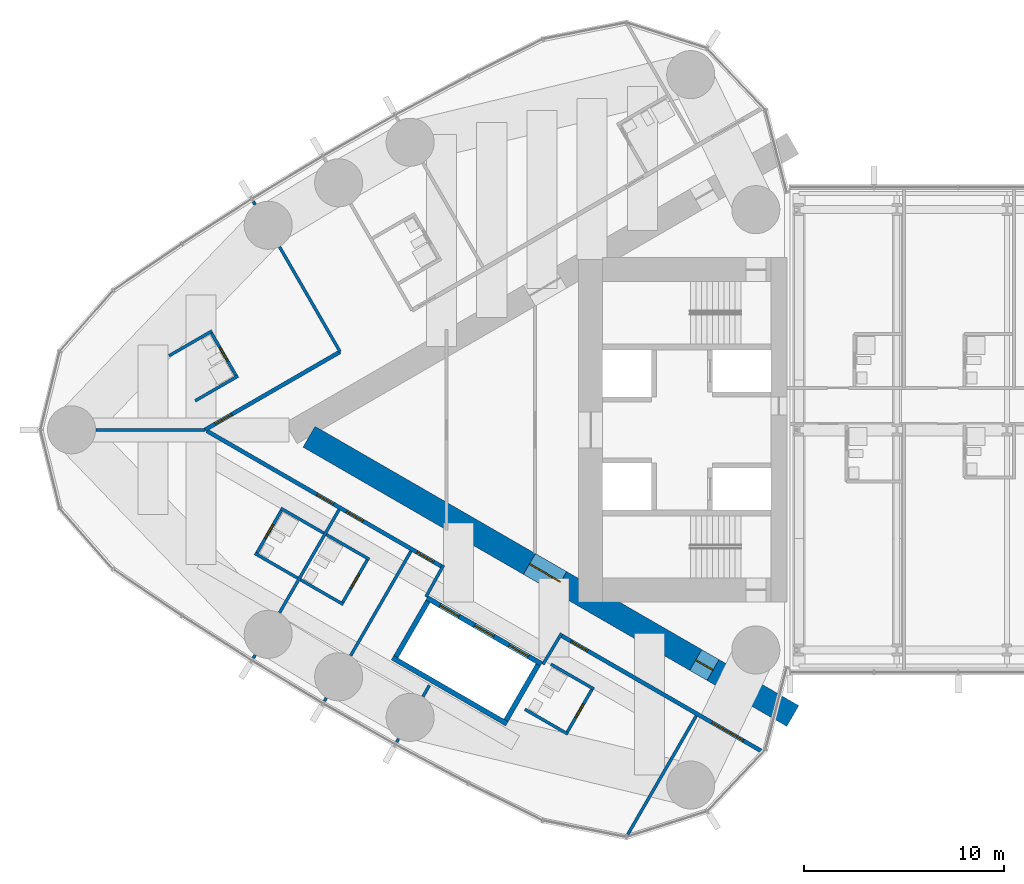
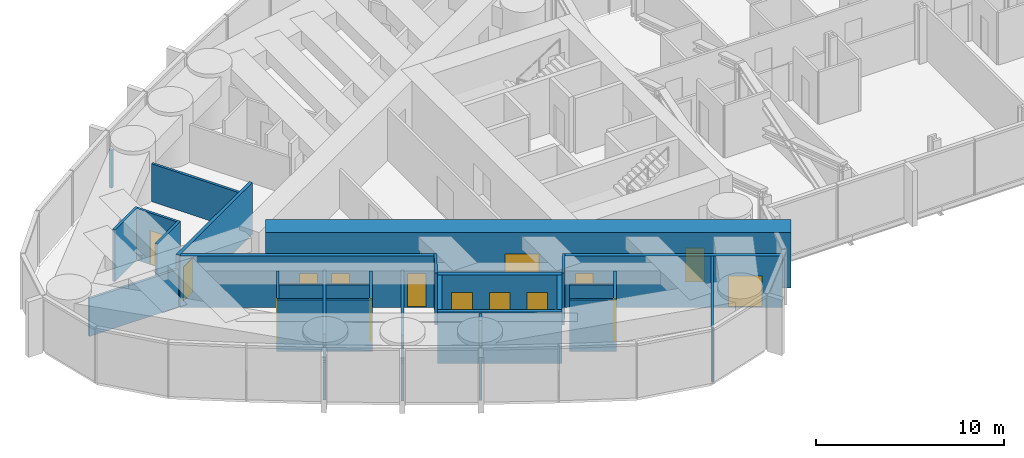
# One storey, part 14 of 22: 32 walls, 15 doors, 15 openings.
"""IFC4 building model written with IfcOpenShell, lengths in metres."""

from ifc_helpers import new_model, si_unit, direction, frame, frame_2d, origin, place, context, subcontext, project, spatial, rectangle, extrude, material, layer, layer_set, type_object, element, fill, save


model = new_model("IFC4")

# Units and contexts
model_context = context("Model", 3, precision=1e-05, world=origin(), true_north=direction((0.0, 1.0)))
body_context = subcontext(model_context, "Body", "Model", "MODEL_VIEW")
ifc_project = project(units=[si_unit("LENGTHUNIT", "METRE"), si_unit("AREAUNIT", "SQUARE_METRE"), si_unit("VOLUMEUNIT", "CUBIC_METRE"), si_unit("PLANEANGLEUNIT", "RADIAN"), si_unit("MASSUNIT", "GRAM", prefix="KILO")], contexts=[model_context])

# Site, building, storey
site_placement = place(None, origin())
site = spatial("IfcSite", under=ifc_project, at=site_placement, CompositionType="ELEMENT")
building_placement = place(site_placement, origin())
building = spatial("IfcBuilding", under=site, at=building_placement, Name="Lancet Gate Hotel", CompositionType="ELEMENT")
storey_placement = place(building_placement, frame((0.0, 0.0, 233.300048828125)))
storey = spatial("IfcBuildingStorey", under=building, at=storey_placement, Name="L62", CompositionType="ELEMENT", Elevation=233.300048828125)

# Wall
ifc_material_1 = material(Name="Moisture resistant board partition")
ifc_layer_1 = layer(ifc_material_1, 0.14990234375)
ifc_layer_set_1 = layer_set([ifc_layer_1], Name="Bathroom wall 150")
wall_type_1 = type_object("IfcWallType", Name="Bathroom wall 150", PredefinedType="PARTITIONING", material=ifc_layer_set_1)
wall_1_placement = place(storey_placement, frame((-56.215087890625, 4.938232421875, 0.0), z_axis=(0.0, 0.0, 1.0), x_axis=(-0.866006523861, -0.500032699561, 0.0)))
element("IfcWall", 1, at=wall_1_placement, inside=storey, type_object=wall_type_1, Name="T1 bathroom wall 150 L62", PredefinedType="PARTITIONING", context=body_context, shape_type="SweptSolid", body=[
    extrude(rectangle(XDim=2.474853515625, YDim=0.14990234375, at=frame_2d((1.2373046875, 0.0))), origin(), (0.0, 0.0, 1.0), 3.349853515625),
])

# Wall, opening, door
wall_2_placement = place(storey_placement, frame((-54.97998046875, 2.64892578125, 0.0), z_axis=(0.0, 0.0, 1.0), x_axis=(-0.500006934395, 0.866021400173, 0.0)))
wall_2 = element("IfcWall", 2, at=wall_2_placement, inside=storey, type_object=wall_type_1, Name="T1 bathroom wall 150 L62", PredefinedType="PARTITIONING", context=body_context, shape_type="SweptSolid", body=[
    extrude(rectangle(XDim=2.60009765625, YDim=0.14990234375, at=frame_2d((1.300048828125, 0.0))), origin(), (0.0, 0.0, 1.0), 3.349853515625),
])
opening_1_placement = place(wall_2_placement, frame((0.89990234375, 0.0, 0.0)))
opening_1 = element("IfcOpeningElement", 3, at=opening_1_placement, cuts=wall_2, Name="Opening 6205-B", PredefinedType="OPENING", context=body_context, shape_type="SweptSolid", body=[
    extrude(rectangle(XDim=0.800048828125, YDim=2.199951171875, at=frame_2d((0.39990234375, 1.10009765625))), frame((0.0, 0.0849609375, 0.0), z_axis=(0.0, -1.0, 0.0), x_axis=(1.0, 0.0, 0.0)), (0.0, 0.0, 1.0), 0.169921875),
])
ifc_material_2 = material(Name="Timber door set", Category="wood")
door_type_1 = type_object("IfcDoorType", Name="Bathroom door 800", OperationType="SINGLE_SWING_RIGHT", PredefinedType="DOOR", material=ifc_material_2)
door_1_placement = place(opening_1_placement, origin())
door_1 = element("IfcDoor", 4, at=door_1_placement, inside=storey, type_object=door_type_1, Name="6205-B", OperationType="SINGLE_SWING_RIGHT", OverallHeight=2.199951171875, OverallWidth=0.800048828125, PredefinedType="DOOR", context=body_context, shape_type="SweptSolid", body=[
    extrude(rectangle(XDim=0.800048828125, YDim=2.199951171875, at=frame_2d((0.39990234375, 1.10009765625))), frame((0.0, 0.02490234375, 0.0), z_axis=(0.0, -1.0, 0.0), x_axis=(1.0, 0.0, 0.0)), (0.0, 0.0, 1.0), 0.050048828125),
])
fill(opening_1, door_1)

# Walls
for number, where, z_axis, x_axis, name in (
    (5, (-54.9150390625, 2.6865234375, 0.0), (0.0, 0.0, 1.0), (-0.866006523861, -0.500032699561, 0.0), "T1 bathroom wall 150 L62"),
    (6, (-51.931396484375, -7.411376953125, 0.0), (0.0, 0.0, 1.0), (-0.866006523861, 0.500032699561, 0.0), "T1 bathroom wall 150 L62"),
):
    element("IfcWall", number, at=place(storey_placement, frame(where, z_axis=z_axis, x_axis=x_axis)), inside=storey, type_object=wall_type_1, Name=name, PredefinedType="PARTITIONING", context=body_context, shape_type="SweptSolid", body=[
        extrude(rectangle(XDim=2.474853515625, YDim=0.14990234375, at=frame_2d((1.2373046875, 0.0))), origin(), (0.0, 0.0, 1.0), 3.349853515625),
    ])

# Wall, opening, door
wall_3_placement = place(storey_placement, frame((-52.709716796875, -3.959716796875, 0.0), z_axis=(0.0, 0.0, 1.0), x_axis=(-0.500006934395, -0.866021400173, 0.0)))
wall_3 = element("IfcWall", 7, at=wall_3_placement, inside=storey, type_object=wall_type_1, Name="T1 bathroom wall 150 L62", PredefinedType="PARTITIONING", context=body_context, shape_type="SweptSolid", body=[
    extrude(rectangle(XDim=2.60009765625, YDim=0.14990234375, at=frame_2d((1.300048828125, 0.0))), origin(), (0.0, 0.0, 1.0), 3.349853515625),
])
opening_2_placement = place(wall_3_placement, frame((0.89990234375, 0.0, 0.0)))
opening_2 = element("IfcOpeningElement", 8, at=opening_2_placement, cuts=wall_3, Name="Opening 6206-B", PredefinedType="OPENING", context=body_context, shape_type="SweptSolid", body=[
    extrude(rectangle(XDim=0.800048828125, YDim=2.199951171875, at=frame_2d((0.39990234375, 1.10009765625))), frame((0.0, 0.0849609375, 0.0), z_axis=(0.0, -1.0, 0.0), x_axis=(1.0, 0.0, 0.0)), (0.0, 0.0, 1.0), 0.169921875),
])
door_2_placement = place(opening_2_placement, origin())
door_2 = element("IfcDoor", 9, at=door_2_placement, inside=storey, type_object=door_type_1, Name="6206-B", OperationType="SINGLE_SWING_RIGHT", OverallHeight=2.199951171875, OverallWidth=0.800048828125, PredefinedType="DOOR", context=body_context, shape_type="SweptSolid", body=[
    extrude(rectangle(XDim=0.800048828125, YDim=2.199951171875, at=frame_2d((0.39990234375, 1.10009765625))), frame((0.0, 0.02490234375, 0.0), z_axis=(0.0, -1.0, 0.0), x_axis=(1.0, 0.0, 0.0)), (0.0, 0.0, 1.0), 0.050048828125),
])
fill(opening_2, door_2)

# Walls
wall_4_placement = place(storey_placement, frame((-50.63134765625, -5.15966796875, 0.0), z_axis=(0.0, 0.0, 1.0), x_axis=(-0.86604923931, 0.499958713387, 0.0)))
element("IfcWall", 10, at=wall_4_placement, inside=storey, type_object=wall_type_1, Name="T1 bathroom wall 150 L62", PredefinedType="PARTITIONING", context=body_context, shape_type="SweptSolid", body=[
    extrude(rectangle(XDim=2.474853515625, YDim=0.14990234375, at=frame_2d((1.2373046875, 0.0))), origin(), (0.0, 0.0, 1.0), 2.5),
])
wall_5_placement = place(storey_placement, frame((-49.657958984375, -8.723876953125, 0.0), z_axis=(0.0, 0.0, 1.0), x_axis=(-0.866031185235, 0.4999899861, 0.0)))
element("IfcWall", 11, at=wall_5_placement, inside=storey, type_object=wall_type_1, Name="T1 bathroom wall 150 L62", PredefinedType="PARTITIONING", context=body_context, shape_type="SweptSolid", body=[
    extrude(rectangle(XDim=2.47509765625, YDim=0.14990234375, at=frame_2d((1.237548828125, 0.0))), origin(), (0.0, 0.0, 1.0), 3.349853515625),
])

# Wall, opening, door
wall_6_placement = place(storey_placement, frame((-48.4228515625, -6.434814453125, 0.0), z_axis=(0.0, 0.0, 1.0), x_axis=(-0.500006934395, -0.866021400173, 0.0)))
wall_6 = element("IfcWall", 12, at=wall_6_placement, inside=storey, type_object=wall_type_1, Name="T1 bathroom wall 150 L62", PredefinedType="PARTITIONING", context=body_context, shape_type="SweptSolid", body=[
    extrude(rectangle(XDim=2.60009765625, YDim=0.14990234375, at=frame_2d((1.300048828125, 0.0))), origin(), (0.0, 0.0, 1.0), 3.349853515625),
])
opening_3_placement = place(wall_6_placement, frame((0.89990234375, 0.0, 0.0)))
opening_3 = element("IfcOpeningElement", 13, at=opening_3_placement, cuts=wall_6, Name="Opening 6207-B", PredefinedType="OPENING", context=body_context, shape_type="SweptSolid", body=[
    extrude(rectangle(XDim=0.800048828125, YDim=2.199951171875, at=frame_2d((0.39990234375, 1.10009765625))), frame((0.0, 0.0849609375, 0.0), z_axis=(0.0, -1.0, 0.0), x_axis=(1.0, 0.0, 0.0)), (0.0, 0.0, 1.0), 0.169921875),
])
door_3_placement = place(opening_3_placement, origin())
door_3 = element("IfcDoor", 14, at=door_3_placement, inside=storey, type_object=door_type_1, Name="6207-B", OperationType="SINGLE_SWING_RIGHT", OverallHeight=2.199951171875, OverallWidth=0.800048828125, PredefinedType="DOOR", context=body_context, shape_type="SweptSolid", body=[
    extrude(rectangle(XDim=0.800048828125, YDim=2.199951171875, at=frame_2d((0.39990234375, 1.10009765625))), frame((0.0, 0.02490234375, 0.0), z_axis=(0.0, -1.0, 0.0), x_axis=(1.0, 0.0, 0.0)), (0.0, 0.0, 1.0), 0.050048828125),
])
fill(opening_3, door_3)

# Walls
wall_7_placement = place(storey_placement, frame((-48.35791015625, -6.47216796875, 0.0), z_axis=(0.0, 0.0, 1.0), x_axis=(-0.866073894602, 0.499916002032, 0.0)))
element("IfcWall", 15, at=wall_7_placement, inside=storey, type_object=wall_type_1, Name="T1 bathroom wall 150 L62", PredefinedType="PARTITIONING", context=body_context, shape_type="SweptSolid", body=[
    extrude(rectangle(XDim=2.47509765625, YDim=0.14990234375, at=frame_2d((1.237548828125, 0.0))), origin(), (0.0, 0.0, 1.0), 2.5),
])
wall_8_placement = place(storey_placement, frame((-38.43798828125, -15.20166015625, 0.0), z_axis=(0.0, 0.0, 1.0), x_axis=(-0.866073894602, 0.499916002032, 0.0)))
element("IfcWall", 16, at=wall_8_placement, inside=storey, type_object=wall_type_1, Name="T1 bathroom wall 150 L62", PredefinedType="PARTITIONING", context=body_context, shape_type="SweptSolid", body=[
    extrude(rectangle(XDim=2.47509765625, YDim=0.14990234375, at=frame_2d((1.237548828125, 0.0))), origin(), (0.0, 0.0, 1.0), 3.349853515625),
])

# Wall, opening, door
wall_9_placement = place(storey_placement, frame((-37.202880859375, -12.91259765625, 0.0), z_axis=(0.0, 0.0, 1.0), x_axis=(-0.500006934395, -0.866021400173, 0.0)))
wall_9 = element("IfcWall", 17, at=wall_9_placement, inside=storey, type_object=wall_type_1, Name="T1 bathroom wall 150 L62", PredefinedType="PARTITIONING", context=body_context, shape_type="SweptSolid", body=[
    extrude(rectangle(XDim=2.60009765625, YDim=0.14990234375, at=frame_2d((1.300048828125, 0.0))), origin(), (0.0, 0.0, 1.0), 3.349853515625),
])
opening_4_placement = place(wall_9_placement, frame((0.89990234375, 0.0, 0.0)))
opening_4 = element("IfcOpeningElement", 18, at=opening_4_placement, cuts=wall_9, Name="Opening 6209-B", PredefinedType="OPENING", context=body_context, shape_type="SweptSolid", body=[
    extrude(rectangle(XDim=0.800048828125, YDim=2.199951171875, at=frame_2d((0.39990234375, 1.10009765625))), frame((0.0, 0.0849609375, 0.0), z_axis=(0.0, -1.0, 0.0), x_axis=(1.0, 0.0, 0.0)), (0.0, 0.0, 1.0), 0.169921875),
])
door_4_placement = place(opening_4_placement, origin())
door_4 = element("IfcDoor", 19, at=door_4_placement, inside=storey, type_object=door_type_1, Name="6209-B", OperationType="SINGLE_SWING_RIGHT", OverallHeight=2.199951171875, OverallWidth=0.800048828125, PredefinedType="DOOR", context=body_context, shape_type="SweptSolid", body=[
    extrude(rectangle(XDim=0.800048828125, YDim=2.199951171875, at=frame_2d((0.39990234375, 1.10009765625))), frame((0.0, 0.02490234375, 0.0), z_axis=(0.0, -1.0, 0.0), x_axis=(1.0, 0.0, 0.0)), (0.0, 0.0, 1.0), 0.050048828125),
])
fill(opening_4, door_4)

# Wall
wall_10_placement = place(storey_placement, frame((-37.137939453125, -12.9501953125, 0.0), z_axis=(0.0, 0.0, 1.0), x_axis=(-0.866031185235, 0.4999899861, 0.0)))
element("IfcWall", 20, at=wall_10_placement, inside=storey, type_object=wall_type_1, Name="T1 bathroom wall 150 L62", PredefinedType="PARTITIONING", context=body_context, shape_type="SweptSolid", body=[
    extrude(rectangle(XDim=2.47509765625, YDim=0.14990234375, at=frame_2d((1.237548828125, 0.0))), origin(), (0.0, 0.0, 1.0), 2.5),
])

# Wall, openings, doors
ifc_material_3 = material(Name="Concrete C70/85", Category="concrete")
ifc_layer_2 = layer(ifc_material_3, 1.199951171875)
ifc_layer_set_2 = layer_set([ifc_layer_2], Name="Buttress wall 1200")
wall_type_2 = type_object("IfcWallType", Name="Buttress wall 1200", PredefinedType="SHEAR", material=ifc_layer_set_2)
wall_11_placement = place(storey_placement, frame((-27.199951171875, -14.300048828125, 0.0), z_axis=(0.0, 0.0, 1.0), x_axis=(-0.866024021859, 0.500002393557, 0.0)))
wall_11 = element("IfcWall", 21, at=wall_11_placement, inside=storey, type_object=wall_type_2, Name="T1 buttress wall N L62", PredefinedType="SHEAR", context=body_context, shape_type="SweptSolid", body=[
    extrude(rectangle(XDim=27.906982421875, YDim=1.199951171875, at=frame_2d((13.95361328125, 0.0))), origin(), (0.0, 0.0, 1.0), 3.599853515625),
])
opening_5_placement = place(wall_11_placement, frame((4.60009765625, 0.0, 0.0)))
opening_5 = element("IfcOpeningElement", 22, at=opening_5_placement, cuts=wall_11, Name="Opening T1-L62-LN", PredefinedType="OPENING", context=body_context, shape_type="SweptSolid", body=[
    extrude(rectangle(XDim=1.0, YDim=2.199951171875, at=frame_2d((0.5, 1.10009765625))), frame((0.0, 0.60986328125, 0.0), z_axis=(0.0, -1.0, 0.0), x_axis=(1.0, 0.0, 0.0)), (0.0, 0.0, 1.0), 1.219970703125),
])
opening_6_placement = place(wall_11_placement, frame((13.39453125, 0.0, 0.0)))
opening_6 = element("IfcOpeningElement", 23, at=opening_6_placement, cuts=wall_11, Name="Opening T1-L62-LHN", PredefinedType="OPENING", context=body_context, shape_type="SweptSolid", body=[
    extrude(rectangle(XDim=1.800048828125, YDim=2.199951171875, at=frame_2d((0.89990234375, 1.10009765625))), frame((0.0, 0.60986328125, 0.0), z_axis=(0.0, -1.0, 0.0), x_axis=(1.0, 0.0, 0.0)), (0.0, 0.0, 1.0), 1.219970703125),
])
ifc_material_4 = material(Name="Timber door set", Category="wood")
door_type_2 = type_object("IfcDoorType", Name="Lobby double door 1800", OperationType="DOUBLE_DOOR_SINGLE_SWING", PredefinedType="DOOR", material=ifc_material_4)
door_5_placement = place(opening_6_placement, origin())
door_5 = element("IfcDoor", 24, at=door_5_placement, inside=storey, type_object=door_type_2, Name="T1-L62-LHN", OperationType="DOUBLE_DOOR_SINGLE_SWING", OverallHeight=2.199951171875, OverallWidth=1.800048828125, PredefinedType="DOOR", context=body_context, shape_type="SweptSolid", body=[
    extrude(rectangle(XDim=1.800048828125, YDim=2.199951171875, at=frame_2d((0.89990234375, 1.10009765625))), frame((0.0, 0.02490234375, 0.0), z_axis=(0.0, -1.0, 0.0), x_axis=(1.0, 0.0, 0.0)), (0.0, 0.0, 1.0), 0.050048828125),
])
fill(opening_6, door_5)
ifc_material_5 = material(Name="Timber door set", Category="wood")
door_type_3 = type_object("IfcDoorType", Name="Stair lobby door 1000", OperationType="SINGLE_SWING_LEFT", PredefinedType="DOOR", material=ifc_material_5)
door_6_placement = place(opening_5_placement, origin())
door_6 = element("IfcDoor", 25, at=door_6_placement, inside=storey, type_object=door_type_3, Name="T1-L62-LN", OperationType="SINGLE_SWING_LEFT", OverallHeight=2.199951171875, OverallWidth=1.0, PredefinedType="DOOR", context=body_context, shape_type="SweptSolid", body=[
    extrude(rectangle(XDim=1.0, YDim=2.199951171875, at=frame_2d((0.5, 1.10009765625))), frame((0.0, 0.02490234375, 0.0), z_axis=(0.0, -1.0, 0.0), x_axis=(1.0, 0.0, 0.0)), (0.0, 0.0, 1.0), 0.050048828125),
])
fill(opening_5, door_6)

ifc_material_6 = material(Name="Gypsum board partition")
ifc_layer_3 = layer(ifc_material_6, 0.199951171875)
ifc_layer_set_3 = layer_set([ifc_layer_3], Name="Corridor wall 200")
wall_type_3 = type_object("IfcWallType", Name="Corridor wall 200", PredefinedType="PARTITIONING", material=ifc_layer_set_3)
wall_12_placement = place(storey_placement, frame((-28.737060546875, -16.068359375, 0.0), z_axis=(0.0, 0.0, 1.0), x_axis=(-0.866029399323, 0.49999307946, 0.0)))
wall_12 = element("IfcWall", 26, at=wall_12_placement, inside=storey, type_object=wall_type_3, Name="T1 corridor wall 200 L62", PredefinedType="PARTITIONING", context=body_context, shape_type="SweptSolid", body=[
    extrude(rectangle(XDim=11.609619140625, YDim=0.199951171875, at=frame_2d((5.8046875, 0.0))), origin(), (0.0, 0.0, 1.0), 3.349853515625),
])
opening_7_placement = place(wall_12_placement, frame((1.080078125, 0.0, 0.0)))
opening_7 = element("IfcOpeningElement", 27, at=opening_7_placement, cuts=wall_12, Name="Opening 6210-E", PredefinedType="OPENING", context=body_context, shape_type="SweptSolid", body=[
    extrude(rectangle(XDim=1.800048828125, YDim=2.030029296875, at=frame_2d((0.89990234375, 1.01513671875))), frame((0.0, 0.10986328125, 0.0), z_axis=(0.0, -1.0, 0.0), x_axis=(1.0, 0.0, 0.0)), (0.0, 0.0, 1.0), 0.219970703125),
])
opening_8_placement = place(wall_12_placement, frame((10.0595703125, 0.0, 0.0)))
opening_8 = element("IfcOpeningElement", 28, at=opening_8_placement, cuts=wall_12, Name="Opening 6209-E", PredefinedType="OPENING", context=body_context, shape_type="SweptSolid", body=[
    extrude(rectangle(XDim=0.949951171875, YDim=2.199951171875, at=frame_2d((0.47509765625, 1.10009765625))), frame((0.0, 0.10986328125, 0.0), z_axis=(0.0, -1.0, 0.0), x_axis=(1.0, 0.0, 0.0)), (0.0, 0.0, 1.0), 0.219970703125),
])
ifc_material_7 = material(Name="Timber door set", Category="wood")
door_type_4 = type_object("IfcDoorType", Name="Double door 1800, 2030 high", OperationType="DOUBLE_DOOR_SINGLE_SWING", PredefinedType="DOOR", material=ifc_material_7)
door_7_placement = place(opening_7_placement, origin())
door_7 = element("IfcDoor", 29, at=door_7_placement, inside=storey, type_object=door_type_4, Name="6210-E", OperationType="DOUBLE_DOOR_SINGLE_SWING", OverallHeight=2.030029296875, OverallWidth=1.800048828125, PredefinedType="DOOR", context=body_context, shape_type="SweptSolid", body=[
    extrude(rectangle(XDim=1.800048828125, YDim=2.030029296875, at=frame_2d((0.89990234375, 1.01513671875))), frame((0.0, 0.02490234375, 0.0), z_axis=(0.0, -1.0, 0.0), x_axis=(1.0, 0.0, 0.0)), (0.0, 0.0, 1.0), 0.050048828125),
])
fill(opening_7, door_7)
ifc_material_8 = material(Name="Timber door set", Category="wood")
door_type_5 = type_object("IfcDoorType", Name="Guest room entry door 950", OperationType="SINGLE_SWING_LEFT", PredefinedType="DOOR", material=ifc_material_8)
door_8_placement = place(opening_8_placement, origin())
door_8 = element("IfcDoor", 30, at=door_8_placement, inside=storey, type_object=door_type_5, Name="6209-E", OperationType="SINGLE_SWING_LEFT", OverallHeight=2.199951171875, OverallWidth=0.949951171875, PredefinedType="DOOR", context=body_context, shape_type="SweptSolid", body=[
    extrude(rectangle(XDim=0.949951171875, YDim=2.199951171875, at=frame_2d((0.47509765625, 1.10009765625))), frame((0.0, 0.02490234375, 0.0), z_axis=(0.0, -1.0, 0.0), x_axis=(1.0, 0.0, 0.0)), (0.0, 0.0, 1.0), 0.050048828125),
])
fill(opening_8, door_8)

wall_13_placement = place(storey_placement, frame((-44.715087890625, -6.843505859375, 0.0), z_axis=(0.0, 0.0, 1.0), x_axis=(-0.866025261224, 0.500000246922, 0.0)))
wall_13 = element("IfcWall", 31, at=wall_13_placement, inside=storey, type_object=wall_type_3, Name="T1 corridor wall 200 L62", PredefinedType="PARTITIONING", context=body_context, shape_type="SweptSolid", body=[
    extrude(rectangle(XDim=13.56689453125, YDim=0.199951171875, at=frame_2d((6.783447265625, 0.0))), origin(), (0.0, 0.0, 1.0), 3.349853515625),
])
opening_9_placement = place(wall_13_placement, frame((6.265625, 0.0, 0.0)))
opening_9 = element("IfcOpeningElement", 32, at=opening_9_placement, cuts=wall_13, Name="Opening 6206-E", PredefinedType="OPENING", context=body_context, shape_type="SweptSolid", body=[
    extrude(rectangle(XDim=0.949951171875, YDim=2.199951171875, at=frame_2d((0.47509765625, 1.10009765625))), frame((0.0, 0.10986328125, 0.0), z_axis=(0.0, -1.0, 0.0), x_axis=(1.0, 0.0, 0.0)), (0.0, 0.0, 1.0), 0.219970703125),
])
opening_10_placement = place(wall_13_placement, frame((4.5654296875, 0.0, 0.0)))
opening_10 = element("IfcOpeningElement", 33, at=opening_10_placement, cuts=wall_13, Name="Opening 6207-E", PredefinedType="OPENING", context=body_context, shape_type="SweptSolid", body=[
    extrude(rectangle(XDim=0.949951171875, YDim=2.199951171875, at=frame_2d((0.47509765625, 1.10009765625))), frame((0.0, 0.10986328125, 0.0), z_axis=(0.0, -1.0, 0.0), x_axis=(1.0, 0.0, 0.0)), (0.0, 0.0, 1.0), 0.219970703125),
])
opening_11_placement = place(wall_13_placement, frame((0.5, 0.0, 0.0)))
opening_11 = element("IfcOpeningElement", 34, at=opening_11_placement, cuts=wall_13, Name="Opening T1-L62-LO1", PredefinedType="OPENING", context=body_context, shape_type="SweptSolid", body=[
    extrude(rectangle(XDim=0.967041015625, YDim=2.199951171875, at=frame_2d((0.4833984375, 1.10009765625))), frame((0.0, 0.10986328125, 0.0), z_axis=(0.0, -1.0, 0.0), x_axis=(1.0, 0.0, 0.0)), (0.0, 0.0, 1.0), 0.219970703125),
])
door_9_placement = place(opening_9_placement, origin())
door_9 = element("IfcDoor", 35, at=door_9_placement, inside=storey, type_object=door_type_5, Name="6206-E", OperationType="SINGLE_SWING_LEFT", OverallHeight=2.199951171875, OverallWidth=0.949951171875, PredefinedType="DOOR", context=body_context, shape_type="SweptSolid", body=[
    extrude(rectangle(XDim=0.949951171875, YDim=2.199951171875, at=frame_2d((0.47509765625, 1.10009765625))), frame((0.0, 0.02490234375, 0.0), z_axis=(0.0, -1.0, 0.0), x_axis=(1.0, 0.0, 0.0)), (0.0, 0.0, 1.0), 0.050048828125),
])
fill(opening_9, door_9)
door_10_placement = place(opening_10_placement, origin())
door_10 = element("IfcDoor", 36, at=door_10_placement, inside=storey, type_object=door_type_5, Name="6207-E", OperationType="SINGLE_SWING_LEFT", OverallHeight=2.199951171875, OverallWidth=0.949951171875, PredefinedType="DOOR", context=body_context, shape_type="SweptSolid", body=[
    extrude(rectangle(XDim=0.949951171875, YDim=2.199951171875, at=frame_2d((0.47509765625, 1.10009765625))), frame((0.0, 0.02490234375, 0.0), z_axis=(0.0, -1.0, 0.0), x_axis=(1.0, 0.0, 0.0)), (0.0, 0.0, 1.0), 0.050048828125),
])
fill(opening_10, door_10)
door_11_placement = place(opening_11_placement, origin())
door_11 = element("IfcDoor", 37, at=door_11_placement, inside=storey, type_object=door_type_5, Name="T1-L62-LO1", OperationType="SINGLE_SWING_LEFT", OverallHeight=2.199951171875, OverallWidth=0.967041015625, PredefinedType="DOOR", context=body_context, shape_type="SweptSolid", body=[
    extrude(rectangle(XDim=0.967041015625, YDim=2.199951171875, at=frame_2d((0.4833984375, 1.10009765625))), frame((0.0, 0.02490234375, 0.0), z_axis=(0.0, -1.0, 0.0), x_axis=(1.0, 0.0, 0.0)), (0.0, 0.0, 1.0), 0.050048828125),
])
fill(opening_11, door_11)

# Wall, opening, door
wall_14_placement = place(storey_placement, frame((-49.81640625, 3.898193359375, 0.0), z_axis=(0.0, 0.0, 1.0), x_axis=(-0.866028102716, -0.499995325284, 0.0)))
wall_14 = element("IfcWall", 38, at=wall_14_placement, inside=storey, type_object=wall_type_3, Name="T1 corridor wall 200 L62", PredefinedType="PARTITIONING", context=body_context, shape_type="SweptSolid", body=[
    extrude(rectangle(XDim=7.79638671875, YDim=0.199951171875, at=frame_2d((3.898193359375, 0.0))), origin(), (0.0, 0.0, 1.0), 3.349853515625),
])
opening_12_placement = place(wall_14_placement, frame((6.246337890625, 0.0, 0.0)))
opening_12 = element("IfcOpeningElement", 39, at=opening_12_placement, cuts=wall_14, Name="Opening 6205-E", PredefinedType="OPENING", context=body_context, shape_type="SweptSolid", body=[
    extrude(rectangle(XDim=0.949951171875, YDim=2.199951171875, at=frame_2d((0.47509765625, 1.10009765625))), frame((0.0, 0.10986328125, 0.0), z_axis=(0.0, -1.0, 0.0), x_axis=(1.0, 0.0, 0.0)), (0.0, 0.0, 1.0), 0.219970703125),
])
door_12_placement = place(opening_12_placement, origin())
door_12 = element("IfcDoor", 40, at=door_12_placement, inside=storey, type_object=door_type_5, Name="6205-E", OperationType="SINGLE_SWING_LEFT", OverallHeight=2.199951171875, OverallWidth=0.949951171875, PredefinedType="DOOR", context=body_context, shape_type="SweptSolid", body=[
    extrude(rectangle(XDim=0.949951171875, YDim=2.199951171875, at=frame_2d((0.47509765625, 1.10009765625))), frame((0.0, 0.02490234375, 0.0), z_axis=(0.0, -1.0, 0.0), x_axis=(1.0, 0.0, 0.0)), (0.0, 0.0, 1.0), 0.050048828125),
])
fill(opening_12, door_12)

# Wall, openings, doors
ifc_material_9 = material(Name="Gypsum board partition")
ifc_layer_4 = layer(ifc_material_9, 0.25)
ifc_layer_set_4 = layer_set([ifc_layer_4], Name="Lift shaft partition 250")
wall_type_4 = type_object("IfcWallType", Name="Lift shaft partition 250", PredefinedType="PARTITIONING", material=ifc_layer_set_4)
wall_15_placement = place(storey_placement, frame((-39.757568359375, -11.697265625, 0.0), z_axis=(0.0, 0.0, 1.0), x_axis=(-0.866024194504, 0.500002094529, 0.0)))
wall_15 = element("IfcWall", 41, at=wall_15_placement, inside=storey, type_object=wall_type_4, Name="T1 lift shaft wall HL L62", PredefinedType="PARTITIONING", context=body_context, shape_type="SweptSolid", body=[
    extrude(rectangle(XDim=6.60009765625, YDim=0.25, at=frame_2d((3.300048828125, 0.0))), origin(), (0.0, 0.0, 1.0), 3.349853515625),
])
opening_13_placement = place(wall_15_placement, frame((0.75, 0.0, 0.0)))
opening_13 = element("IfcOpeningElement", 42, at=opening_13_placement, cuts=wall_15, Name="Opening T1-HL1-L62", PredefinedType="OPENING", context=body_context, shape_type="SweptSolid", body=[
    extrude(rectangle(XDim=1.10009765625, YDim=2.199951171875, at=frame_2d((0.550048828125, 1.10009765625))), frame((0.0, 0.135009765625, 0.0), z_axis=(0.0, -1.0, 0.0), x_axis=(1.0, 0.0, 0.0)), (0.0, 0.0, 1.0), 0.27001953125),
])
opening_14_placement = place(wall_15_placement, frame((2.75, 0.0, 0.0)))
opening_14 = element("IfcOpeningElement", 43, at=opening_14_placement, cuts=wall_15, Name="Opening T1-HL2-L62", PredefinedType="OPENING", context=body_context, shape_type="SweptSolid", body=[
    extrude(rectangle(XDim=1.10009765625, YDim=2.199951171875, at=frame_2d((0.550048828125, 1.10009765625))), frame((0.0, 0.135009765625, 0.0), z_axis=(0.0, -1.0, 0.0), x_axis=(1.0, 0.0, 0.0)), (0.0, 0.0, 1.0), 0.27001953125),
])
opening_15_placement = place(wall_15_placement, frame((4.75, 0.0, 0.0)))
opening_15 = element("IfcOpeningElement", 44, at=opening_15_placement, cuts=wall_15, Name="Opening T1-HL3-L62", PredefinedType="OPENING", context=body_context, shape_type="SweptSolid", body=[
    extrude(rectangle(XDim=1.10009765625, YDim=2.199951171875, at=frame_2d((0.550048828125, 1.10009765625))), frame((0.0, 0.135009765625, 0.0), z_axis=(0.0, -1.0, 0.0), x_axis=(1.0, 0.0, 0.0)), (0.0, 0.0, 1.0), 0.27001953125),
])
ifc_material_10 = material(Name="Steel door set", Category="steel")
door_type_6 = type_object("IfcDoorType", Name="Lift landing door 1100", OperationType="DOUBLE_DOOR_SLIDING", PredefinedType="USERDEFINED", material=ifc_material_10)
door_13_placement = place(opening_13_placement, origin())
door_13 = element("IfcDoor", 45, at=door_13_placement, inside=storey, type_object=door_type_6, Name="T1-HL1-L62", ObjectType="LIFT LANDING DOOR", OperationType="DOUBLE_DOOR_SLIDING", OverallHeight=2.199951171875, OverallWidth=1.10009765625, PredefinedType="USERDEFINED", context=body_context, shape_type="SweptSolid", body=[
    extrude(rectangle(XDim=1.10009765625, YDim=2.199951171875, at=frame_2d((0.550048828125, 1.10009765625))), frame((0.0, 0.02490234375, 0.0), z_axis=(0.0, -1.0, 0.0), x_axis=(1.0, 0.0, 0.0)), (0.0, 0.0, 1.0), 0.050048828125),
])
fill(opening_13, door_13)
door_14_placement = place(opening_14_placement, origin())
door_14 = element("IfcDoor", 46, at=door_14_placement, inside=storey, type_object=door_type_6, Name="T1-HL2-L62", ObjectType="LIFT LANDING DOOR", OperationType="DOUBLE_DOOR_SLIDING", OverallHeight=2.199951171875, OverallWidth=1.10009765625, PredefinedType="USERDEFINED", context=body_context, shape_type="SweptSolid", body=[
    extrude(rectangle(XDim=1.10009765625, YDim=2.199951171875, at=frame_2d((0.550048828125, 1.10009765625))), frame((0.0, 0.02490234375, 0.0), z_axis=(0.0, -1.0, 0.0), x_axis=(1.0, 0.0, 0.0)), (0.0, 0.0, 1.0), 0.050048828125),
])
fill(opening_14, door_14)
door_15_placement = place(opening_15_placement, origin())
door_15 = element("IfcDoor", 47, at=door_15_placement, inside=storey, type_object=door_type_6, Name="T1-HL3-L62", ObjectType="LIFT LANDING DOOR", OperationType="DOUBLE_DOOR_SLIDING", OverallHeight=2.199951171875, OverallWidth=1.10009765625, PredefinedType="USERDEFINED", context=body_context, shape_type="SweptSolid", body=[
    extrude(rectangle(XDim=1.10009765625, YDim=2.199951171875, at=frame_2d((0.550048828125, 1.10009765625))), frame((0.0, 0.02490234375, 0.0), z_axis=(0.0, -1.0, 0.0), x_axis=(1.0, 0.0, 0.0)), (0.0, 0.0, 1.0), 0.050048828125),
])
fill(opening_15, door_15)

# Walls
wall_16_placement = place(storey_placement, frame((-41.482421875, -14.685791015625, 0.0), z_axis=(0.0, 0.0, 1.0), x_axis=(-0.86603344179, 0.499986077507, 0.0)))
element("IfcWall", 48, at=wall_16_placement, inside=storey, type_object=wall_type_4, Name="T1 lift shaft wall HL L62", PredefinedType="PARTITIONING", context=body_context, shape_type="SweptSolid", body=[
    extrude(rectangle(XDim=6.600341796875, YDim=0.25, at=frame_2d((3.30029296875, 0.0))), origin(), (0.0, 0.0, 1.0), 3.349853515625),
])
for number, where, z_axis, x_axis, name in (
    (49, (-39.92822265625, -11.742919921875, 0.0), (0.0, 0.0, 1.0), (-0.499929347863, -0.866066190972, 0.0), "T1 lift shaft wall HL L62"),
    (50, (-45.427734375, -8.568115234375, 0.0), (0.0, 0.0, 1.0), (-0.499929347863, -0.866066190972, 0.0), "T1 lift shaft wall HL L62"),
):
    element("IfcWall", number, at=place(storey_placement, frame(where, z_axis=z_axis, x_axis=x_axis)), inside=storey, type_object=wall_type_4, Name=name, PredefinedType="PARTITIONING", context=body_context, shape_type="SweptSolid", body=[
        extrude(rectangle(XDim=3.20068359375, YDim=0.25, at=frame_2d((1.600341796875, 0.0))), origin(), (0.0, 0.0, 1.0), 3.349853515625),
    ])
ifc_material_11 = material(Name="Gypsum board partition")
ifc_layer_5 = layer(ifc_material_11, 0.14990234375)
ifc_layer_set_5 = layer_set([ifc_layer_5], Name="Party wall 150")
wall_type_5 = type_object("IfcWallType", Name="Party wall 150", PredefinedType="PARTITIONING", material=ifc_layer_set_5)
wall_17_placement = place(storey_placement, frame((-49.81640625, 3.898193359375, 0.0), z_axis=(0.0, 0.0, 1.0), x_axis=(-0.500001913541, 0.866024298998, 0.0)))
element("IfcWall", 51, at=wall_17_placement, inside=storey, type_object=wall_type_5, Name="T1 party wall 150 L62", PredefinedType="PARTITIONING", context=body_context, shape_type="SweptSolid", body=[
    extrude(rectangle(XDim=6.0498046875, YDim=0.14990234375, at=frame_2d((3.02490234375, 0.0))), origin(), (0.0, 0.0, 1.0), 2.449951171875),
])
wall_18_placement = place(storey_placement, frame((-54.061279296875, 11.25048828125, 0.0), z_axis=(0.0, 0.0, 1.0), x_axis=(-0.500391173478, 0.865799441849, 0.0)))
element("IfcWall", 52, at=wall_18_placement, inside=storey, type_object=wall_type_5, Name="T1 party wall 150 L62", PredefinedType="PARTITIONING", context=body_context, shape_type="SweptSolid", body=[
    extrude(rectangle(XDim=0.178955078125, YDim=0.14990234375, at=frame_2d((0.08935546875, 0.0))), origin(), (0.0, 0.0, 1.0), 2.449951171875),
])
wall_19_placement = place(storey_placement, frame((-32.021728515625, -14.287353515625, 0.0), z_axis=(0.0, 0.0, 1.0), x_axis=(-0.50000019414, -0.866025291697, 0.0)))
element("IfcWall", 53, at=wall_19_placement, inside=storey, type_object=wall_type_5, Name="T1 party wall 150 L62", PredefinedType="PARTITIONING", context=body_context, shape_type="SweptSolid", body=[
    extrude(rectangle(XDim=6.84814453125, YDim=0.14990234375, at=frame_2d((3.424072265625, 0.0))), origin(), (0.0, 0.0, 1.0), 3.349853515625),
])
wall_20_placement = place(storey_placement, frame((-46.89794921875, -15.438720703125, 0.0), z_axis=(0.0, 0.0, 1.0), x_axis=(-0.500232303069, -0.865891241997, 0.0)))
element("IfcWall", 54, at=wall_20_placement, inside=storey, type_object=wall_type_5, Name="T1 party wall 150 L62", PredefinedType="PARTITIONING", context=body_context, shape_type="SweptSolid", body=[
    extrude(rectangle(XDim=0.1796875, YDim=0.14990234375, at=frame_2d((0.08984375, 0.0))), origin(), (0.0, 0.0, 1.0), 2.449951171875),
])
wall_21_placement = place(storey_placement, frame((-46.273681640625, -6.05908203125, 0.0), z_axis=(0.0, 0.0, 1.0), x_axis=(-0.500020471368, -0.866013584312, 0.0)))
element("IfcWall", 55, at=wall_21_placement, inside=storey, type_object=wall_type_5, Name="T1 party wall 150 L62", PredefinedType="PARTITIONING", context=body_context, shape_type="SweptSolid", body=[
    extrude(rectangle(XDim=6.027587890625, YDim=0.14990234375, at=frame_2d((3.013671875, 0.0))), origin(), (0.0, 0.0, 1.0), 2.449951171875),
])
wall_22_placement = place(storey_placement, frame((-50.507568359375, -13.392333984375, 0.0), z_axis=(0.0, 0.0, 1.0), x_axis=(-0.499644091975, -0.866230789891, 0.0)))
element("IfcWall", 56, at=wall_22_placement, inside=storey, type_object=wall_type_5, Name="T1 party wall 150 L62", PredefinedType="PARTITIONING", context=body_context, shape_type="SweptSolid", body=[
    extrude(rectangle(XDim=0.179931640625, YDim=0.14990234375, at=frame_2d((0.08984375, 0.0))), origin(), (0.0, 0.0, 1.0), 2.449951171875),
])
wall_23_placement = place(storey_placement, frame((-49.866455078125, -3.98486328125, 0.0), z_axis=(0.0, 0.0, 1.0), x_axis=(-0.500000694566, -0.866025002776, 0.0)))
element("IfcWall", 57, at=wall_23_placement, inside=storey, type_object=wall_type_5, Name="T1 party wall 150 L62", PredefinedType="PARTITIONING", context=body_context, shape_type="SweptSolid", body=[
    extrude(rectangle(XDim=5.94970703125, YDim=0.14990234375, at=frame_2d((2.974853515625, 0.0))), origin(), (0.0, 0.0, 1.0), 2.449951171875),
])
wall_24_placement = place(storey_placement, frame((-54.061279296875, -11.25048828125, 0.0), z_axis=(0.0, 0.0, 1.0), x_axis=(-0.500391173478, -0.865799441849, 0.0)))
element("IfcWall", 58, at=wall_24_placement, inside=storey, type_object=wall_type_5, Name="T1 party wall 150 L62", PredefinedType="PARTITIONING", context=body_context, shape_type="SweptSolid", body=[
    extrude(rectangle(XDim=0.178955078125, YDim=0.14990234375, at=frame_2d((0.08935546875, 0.0))), origin(), (0.0, 0.0, 1.0), 2.449951171875),
])
wall_25_placement = place(storey_placement, frame((-56.568359375, 0.0, 0.0), z_axis=(0.0, 0.0, 1.0), x_axis=(-1.0, 0.0, 0.0)))
element("IfcWall", 59, at=wall_25_placement, inside=storey, type_object=wall_type_5, Name="T1 party wall 150 L62", PredefinedType="PARTITIONING", context=body_context, shape_type="SweptSolid", body=[
    extrude(rectangle(XDim=5.446044921875, YDim=0.14990234375, at=frame_2d((2.72314453125, 0.0))), origin(), (0.0, 0.0, 1.0), 2.449951171875),
])
wall_26_placement = place(storey_placement, frame((-45.355712890625, -12.767333984375, 0.0), z_axis=(0.0, 0.0, 1.0), x_axis=(-0.499886366516, -0.866091000168, 0.0)))
element("IfcWall", 60, at=wall_26_placement, inside=storey, type_object=wall_type_5, Name="T1 party wall 150 L62", PredefinedType="PARTITIONING", context=body_context, shape_type="SweptSolid", body=[
    extrude(rectangle(XDim=0.644775390625, YDim=0.14990234375, at=frame_2d((0.322265625, 0.0))), origin(), (0.0, 0.0, 1.0), 3.349853515625),
])
ifc_material_12 = material(Name="Gypsum board partition")
ifc_layer_6 = layer(ifc_material_12, 0.14990234375)
ifc_layer_set_6 = layer_set([ifc_layer_6], Name="Service room wall 150")
wall_type_6 = type_object("IfcWallType", Name="Service room wall 150", PredefinedType="PARTITIONING", material=ifc_layer_set_6)
for number, where, z_axis, x_axis, name in (
    (61, (-39.6826171875, -11.717529296875, 0.0), (0.0, 0.0, 1.0), (0.514336634837, 0.857588377991, 0.0), "T1 service room wall 150 L62"),
    (62, (-44.652099609375, -6.764404296875, 0.0), (0.0, 0.0, 1.0), (-0.485424724123, -0.874278466629, 0.0), "T1 service room wall 150 L62"),
):
    element("IfcWall", number, at=place(storey_placement, frame(where, z_axis=z_axis, x_axis=x_axis)), inside=storey, type_object=wall_type_6, Name=name, PredefinedType="PARTITIONING", context=body_context, shape_type="SweptSolid", body=[
        extrude(rectangle(XDim=1.80517578125, YDim=0.14990234375, at=frame_2d((0.902587890625, 0.0))), origin(), (0.0, 0.0, 1.0), 3.349853515625),
    ])

save(model, "model.ifc")
